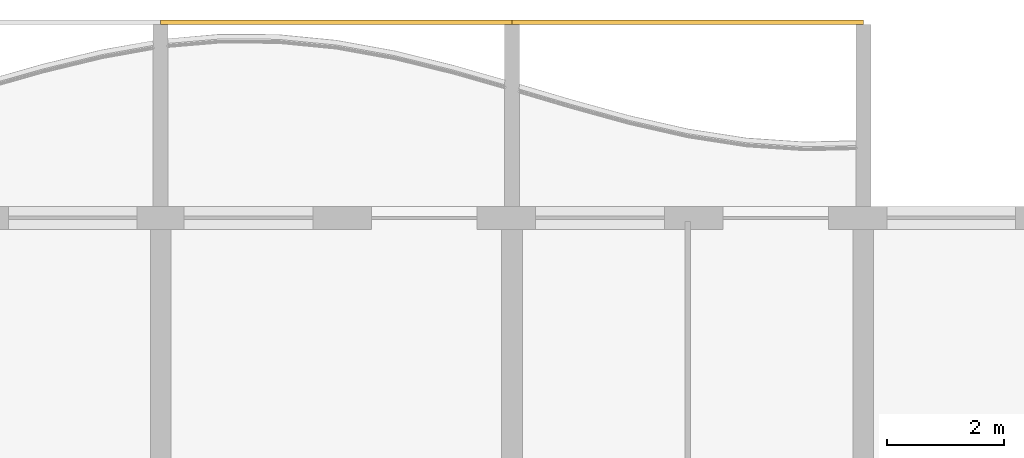
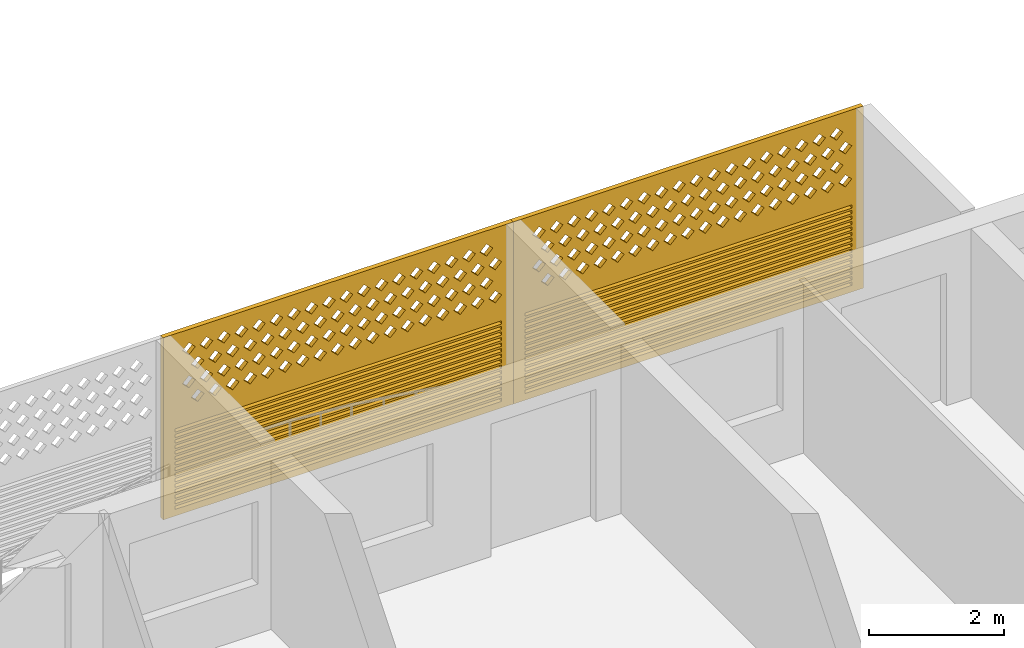
# One storey, part 21 of 26: 2 coverings.
"""IFC4 building model written with IfcOpenShell, lengths in metres."""

from ifc_helpers import new_model, si_unit, direction, frame, origin, place, context, subcontext, project, spatial, polyline, outline, extrude, source, transform, mapped, material, material_profile, profile_set, type_object, element, save


model = new_model("IFC4")

# Units and contexts
model_context = context("Model", 3, precision=1e-05, world=origin(), true_north=direction((0.0, 1.0)))
body_context = subcontext(model_context, "Body", "Model", "MODEL_VIEW")
ifc_project = project(units=[si_unit("LENGTHUNIT", "METRE"), si_unit("AREAUNIT", "SQUARE_METRE"), si_unit("VOLUMEUNIT", "CUBIC_METRE"), si_unit("PLANEANGLEUNIT", "RADIAN"), si_unit("MASSUNIT", "GRAM", prefix="KILO")], contexts=[model_context])

# Site, building, storey
site_placement = place(None, origin())
site = spatial("IfcSite", under=ifc_project, at=site_placement, CompositionType="ELEMENT")
building_placement = place(site_placement, origin())
building = spatial("IfcBuilding", under=site, at=building_placement, Name="Poui Terraces", CompositionType="ELEMENT")
storey_placement = place(building_placement, frame((0.0, 0.0, 79.5)))
storey = spatial("IfcBuildingStorey", under=building, at=storey_placement, Name="L21", CompositionType="ELEMENT", Elevation=79.5)

# Coverings
ifc_material = material(Name="Terracotta screen", Category="masonry")
ifc_material_profile = material_profile(ifc_material, outline(polyline([(-3.0, -1.64990234375), (3.0, -1.64990234375), (3.0, 1.64990234375), (-3.0, 1.64990234375), (-3.0, -1.64990234375)]), holes=[polyline([(-2.800048828125, 0.39990234375), (-2.68994140625, 0.2900390625), (-2.580078125, 0.39990234375), (-2.68994140625, 0.510009765625), (-2.800048828125, 0.39990234375)]), polyline([(-2.5, 0.39990234375), (-2.389892578125, 0.2900390625), (-2.280029296875, 0.39990234375), (-2.389892578125, 0.510009765625), (-2.5, 0.39990234375)]), polyline([(-2.199951171875, 0.39990234375), (-2.090087890625, 0.2900390625), (-1.97998046875, 0.39990234375), (-2.090087890625, 0.510009765625), (-2.199951171875, 0.39990234375)]), polyline([(-1.89990234375, 0.39990234375), (-1.7900390625, 0.2900390625), (-1.679931640625, 0.39990234375), (-1.7900390625, 0.510009765625), (-1.89990234375, 0.39990234375)]), polyline([(-1.60009765625, 0.39990234375), (-1.489990234375, 0.2900390625), (-1.3798828125, 0.39990234375), (-1.489990234375, 0.510009765625), (-1.60009765625, 0.39990234375)]), polyline([(-1.300048828125, 0.39990234375), (-1.18994140625, 0.2900390625), (-1.080078125, 0.39990234375), (-1.18994140625, 0.510009765625), (-1.300048828125, 0.39990234375)]), polyline([(-1.0, 0.39990234375), (-0.889892578125, 0.2900390625), (-0.780029296875, 0.39990234375), (-0.889892578125, 0.510009765625), (-1.0, 0.39990234375)]), polyline([(-0.699951171875, 0.39990234375), (-0.590087890625, 0.2900390625), (-0.47998046875, 0.39990234375), (-0.590087890625, 0.510009765625), (-0.699951171875, 0.39990234375)]), polyline([(-0.39990234375, 0.39990234375), (-0.2900390625, 0.2900390625), (-0.179931640625, 0.39990234375), (-0.2900390625, 0.510009765625), (-0.39990234375, 0.39990234375)]), polyline([(-0.10009765625, 0.39990234375), (0.010009765625, 0.2900390625), (0.1201171875, 0.39990234375), (0.010009765625, 0.510009765625), (-0.10009765625, 0.39990234375)]), polyline([(0.199951171875, 0.39990234375), (0.31005859375, 0.2900390625), (0.419921875, 0.39990234375), (0.31005859375, 0.510009765625), (0.199951171875, 0.39990234375)]), polyline([(0.5, 0.39990234375), (0.610107421875, 0.2900390625), (0.719970703125, 0.39990234375), (0.610107421875, 0.510009765625), (0.5, 0.39990234375)]), polyline([(0.800048828125, 0.39990234375), (0.909912109375, 0.2900390625), (1.02001953125, 0.39990234375), (0.909912109375, 0.510009765625), (0.800048828125, 0.39990234375)]), polyline([(1.10009765625, 0.39990234375), (1.2099609375, 0.2900390625), (1.320068359375, 0.39990234375), (1.2099609375, 0.510009765625), (1.10009765625, 0.39990234375)]), polyline([(1.39990234375, 0.39990234375), (1.510009765625, 0.2900390625), (1.6201171875, 0.39990234375), (1.510009765625, 0.510009765625), (1.39990234375, 0.39990234375)]), polyline([(1.699951171875, 0.39990234375), (1.81005859375, 0.2900390625), (1.919921875, 0.39990234375), (1.81005859375, 0.510009765625), (1.699951171875, 0.39990234375)]), polyline([(2.0, 0.39990234375), (2.110107421875, 0.2900390625), (2.219970703125, 0.39990234375), (2.110107421875, 0.510009765625), (2.0, 0.39990234375)]), polyline([(2.300048828125, 0.39990234375), (2.409912109375, 0.2900390625), (2.52001953125, 0.39990234375), (2.409912109375, 0.510009765625), (2.300048828125, 0.39990234375)]), polyline([(-2.64990234375, 0.699951171875), (-2.5400390625, 0.590087890625), (-2.429931640625, 0.699951171875), (-2.5400390625, 0.81005859375), (-2.64990234375, 0.699951171875)]), polyline([(-2.35009765625, 0.699951171875), (-2.239990234375, 0.590087890625), (-2.1298828125, 0.699951171875), (-2.239990234375, 0.81005859375), (-2.35009765625, 0.699951171875)]), polyline([(-2.050048828125, 0.699951171875), (-1.93994140625, 0.590087890625), (-1.830078125, 0.699951171875), (-1.93994140625, 0.81005859375), (-2.050048828125, 0.699951171875)]), polyline([(-1.75, 0.699951171875), (-1.639892578125, 0.590087890625), (-1.530029296875, 0.699951171875), (-1.639892578125, 0.81005859375), (-1.75, 0.699951171875)]), polyline([(-1.449951171875, 0.699951171875), (-1.340087890625, 0.590087890625), (-1.22998046875, 0.699951171875), (-1.340087890625, 0.81005859375), (-1.449951171875, 0.699951171875)]), polyline([(-1.14990234375, 0.699951171875), (-1.0400390625, 0.590087890625), (-0.929931640625, 0.699951171875), (-1.0400390625, 0.81005859375), (-1.14990234375, 0.699951171875)]), polyline([(-0.85009765625, 0.699951171875), (-0.739990234375, 0.590087890625), (-0.6298828125, 0.699951171875), (-0.739990234375, 0.81005859375), (-0.85009765625, 0.699951171875)]), polyline([(-0.550048828125, 0.699951171875), (-0.43994140625, 0.590087890625), (-0.330078125, 0.699951171875), (-0.43994140625, 0.81005859375), (-0.550048828125, 0.699951171875)]), polyline([(-0.25, 0.699951171875), (-0.139892578125, 0.590087890625), (-0.030029296875, 0.699951171875), (-0.139892578125, 0.81005859375), (-0.25, 0.699951171875)]), polyline([(0.050048828125, 0.699951171875), (0.159912109375, 0.590087890625), (0.27001953125, 0.699951171875), (0.159912109375, 0.81005859375), (0.050048828125, 0.699951171875)]), polyline([(0.35009765625, 0.699951171875), (0.4599609375, 0.590087890625), (0.570068359375, 0.699951171875), (0.4599609375, 0.81005859375), (0.35009765625, 0.699951171875)]), polyline([(0.64990234375, 0.699951171875), (0.760009765625, 0.590087890625), (0.8701171875, 0.699951171875), (0.760009765625, 0.81005859375), (0.64990234375, 0.699951171875)]), polyline([(0.949951171875, 0.699951171875), (1.06005859375, 0.590087890625), (1.169921875, 0.699951171875), (1.06005859375, 0.81005859375), (0.949951171875, 0.699951171875)]), polyline([(1.25, 0.699951171875), (1.360107421875, 0.590087890625), (1.469970703125, 0.699951171875), (1.360107421875, 0.81005859375), (1.25, 0.699951171875)]), polyline([(1.550048828125, 0.699951171875), (1.659912109375, 0.590087890625), (1.77001953125, 0.699951171875), (1.659912109375, 0.81005859375), (1.550048828125, 0.699951171875)]), polyline([(1.85009765625, 0.699951171875), (1.9599609375, 0.590087890625), (2.070068359375, 0.699951171875), (1.9599609375, 0.81005859375), (1.85009765625, 0.699951171875)]), polyline([(2.14990234375, 0.699951171875), (2.260009765625, 0.590087890625), (2.3701171875, 0.699951171875), (2.260009765625, 0.81005859375), (2.14990234375, 0.699951171875)]), polyline([(2.449951171875, 0.699951171875), (2.56005859375, 0.590087890625), (2.669921875, 0.699951171875), (2.56005859375, 0.81005859375), (2.449951171875, 0.699951171875)]), polyline([(-2.800048828125, 1.0), (-2.68994140625, 0.889892578125), (-2.580078125, 1.0), (-2.68994140625, 1.110107421875), (-2.800048828125, 1.0)]), polyline([(-2.5, 1.0), (-2.389892578125, 0.889892578125), (-2.280029296875, 1.0), (-2.389892578125, 1.110107421875), (-2.5, 1.0)]), polyline([(-2.199951171875, 1.0), (-2.090087890625, 0.889892578125), (-1.97998046875, 1.0), (-2.090087890625, 1.110107421875), (-2.199951171875, 1.0)]), polyline([(-1.89990234375, 1.0), (-1.7900390625, 0.889892578125), (-1.679931640625, 1.0), (-1.7900390625, 1.110107421875), (-1.89990234375, 1.0)]), polyline([(-1.60009765625, 1.0), (-1.489990234375, 0.889892578125), (-1.3798828125, 1.0), (-1.489990234375, 1.110107421875), (-1.60009765625, 1.0)]), polyline([(-1.300048828125, 1.0), (-1.18994140625, 0.889892578125), (-1.080078125, 1.0), (-1.18994140625, 1.110107421875), (-1.300048828125, 1.0)]), polyline([(-1.0, 1.0), (-0.889892578125, 0.889892578125), (-0.780029296875, 1.0), (-0.889892578125, 1.110107421875), (-1.0, 1.0)]), polyline([(-0.699951171875, 1.0), (-0.590087890625, 0.889892578125), (-0.47998046875, 1.0), (-0.590087890625, 1.110107421875), (-0.699951171875, 1.0)]), polyline([(-0.39990234375, 1.0), (-0.2900390625, 0.889892578125), (-0.179931640625, 1.0), (-0.2900390625, 1.110107421875), (-0.39990234375, 1.0)]), polyline([(-0.10009765625, 1.0), (0.010009765625, 0.889892578125), (0.1201171875, 1.0), (0.010009765625, 1.110107421875), (-0.10009765625, 1.0)]), polyline([(0.199951171875, 1.0), (0.31005859375, 0.889892578125), (0.419921875, 1.0), (0.31005859375, 1.110107421875), (0.199951171875, 1.0)]), polyline([(0.5, 1.0), (0.610107421875, 0.889892578125), (0.719970703125, 1.0), (0.610107421875, 1.110107421875), (0.5, 1.0)]), polyline([(0.800048828125, 1.0), (0.909912109375, 0.889892578125), (1.02001953125, 1.0), (0.909912109375, 1.110107421875), (0.800048828125, 1.0)]), polyline([(1.10009765625, 1.0), (1.2099609375, 0.889892578125), (1.320068359375, 1.0), (1.2099609375, 1.110107421875), (1.10009765625, 1.0)]), polyline([(1.39990234375, 1.0), (1.510009765625, 0.889892578125), (1.6201171875, 1.0), (1.510009765625, 1.110107421875), (1.39990234375, 1.0)]), polyline([(1.699951171875, 1.0), (1.81005859375, 0.889892578125), (1.919921875, 1.0), (1.81005859375, 1.110107421875), (1.699951171875, 1.0)]), polyline([(2.0, 1.0), (2.110107421875, 0.889892578125), (2.219970703125, 1.0), (2.110107421875, 1.110107421875), (2.0, 1.0)]), polyline([(2.300048828125, 1.0), (2.409912109375, 0.889892578125), (2.52001953125, 1.0), (2.409912109375, 1.110107421875), (2.300048828125, 1.0)]), polyline([(-2.64990234375, 1.300048828125), (-2.5400390625, 1.18994140625), (-2.429931640625, 1.300048828125), (-2.5400390625, 1.409912109375), (-2.64990234375, 1.300048828125)]), polyline([(-2.35009765625, 1.300048828125), (-2.239990234375, 1.18994140625), (-2.1298828125, 1.300048828125), (-2.239990234375, 1.409912109375), (-2.35009765625, 1.300048828125)]), polyline([(-2.050048828125, 1.300048828125), (-1.93994140625, 1.18994140625), (-1.830078125, 1.300048828125), (-1.93994140625, 1.409912109375), (-2.050048828125, 1.300048828125)]), polyline([(-1.75, 1.300048828125), (-1.639892578125, 1.18994140625), (-1.530029296875, 1.300048828125), (-1.639892578125, 1.409912109375), (-1.75, 1.300048828125)]), polyline([(-1.449951171875, 1.300048828125), (-1.340087890625, 1.18994140625), (-1.22998046875, 1.300048828125), (-1.340087890625, 1.409912109375), (-1.449951171875, 1.300048828125)]), polyline([(-1.14990234375, 1.300048828125), (-1.0400390625, 1.18994140625), (-0.929931640625, 1.300048828125), (-1.0400390625, 1.409912109375), (-1.14990234375, 1.300048828125)]), polyline([(-0.85009765625, 1.300048828125), (-0.739990234375, 1.18994140625), (-0.6298828125, 1.300048828125), (-0.739990234375, 1.409912109375), (-0.85009765625, 1.300048828125)]), polyline([(-0.550048828125, 1.300048828125), (-0.43994140625, 1.18994140625), (-0.330078125, 1.300048828125), (-0.43994140625, 1.409912109375), (-0.550048828125, 1.300048828125)]), polyline([(-0.25, 1.300048828125), (-0.139892578125, 1.18994140625), (-0.030029296875, 1.300048828125), (-0.139892578125, 1.409912109375), (-0.25, 1.300048828125)]), polyline([(0.050048828125, 1.300048828125), (0.159912109375, 1.18994140625), (0.27001953125, 1.300048828125), (0.159912109375, 1.409912109375), (0.050048828125, 1.300048828125)]), polyline([(0.35009765625, 1.300048828125), (0.4599609375, 1.18994140625), (0.570068359375, 1.300048828125), (0.4599609375, 1.409912109375), (0.35009765625, 1.300048828125)]), polyline([(0.64990234375, 1.300048828125), (0.760009765625, 1.18994140625), (0.8701171875, 1.300048828125), (0.760009765625, 1.409912109375), (0.64990234375, 1.300048828125)]), polyline([(0.949951171875, 1.300048828125), (1.06005859375, 1.18994140625), (1.169921875, 1.300048828125), (1.06005859375, 1.409912109375), (0.949951171875, 1.300048828125)]), polyline([(1.25, 1.300048828125), (1.360107421875, 1.18994140625), (1.469970703125, 1.300048828125), (1.360107421875, 1.409912109375), (1.25, 1.300048828125)]), polyline([(1.550048828125, 1.300048828125), (1.659912109375, 1.18994140625), (1.77001953125, 1.300048828125), (1.659912109375, 1.409912109375), (1.550048828125, 1.300048828125)]), polyline([(1.85009765625, 1.300048828125), (1.9599609375, 1.18994140625), (2.070068359375, 1.300048828125), (1.9599609375, 1.409912109375), (1.85009765625, 1.300048828125)]), polyline([(2.14990234375, 1.300048828125), (2.260009765625, 1.18994140625), (2.3701171875, 1.300048828125), (2.260009765625, 1.409912109375), (2.14990234375, 1.300048828125)]), polyline([(2.449951171875, 1.300048828125), (2.56005859375, 1.18994140625), (2.669921875, 1.300048828125), (2.56005859375, 1.409912109375), (2.449951171875, 1.300048828125)]), polyline([(-2.800048828125, -1.530029296875), (2.800048828125, -1.530029296875), (2.800048828125, -1.469970703125), (-2.800048828125, -1.469970703125), (-2.800048828125, -1.530029296875)]), polyline([(-2.800048828125, -1.429931640625), (2.800048828125, -1.429931640625), (2.800048828125, -1.3701171875), (-2.800048828125, -1.3701171875), (-2.800048828125, -1.429931640625)]), polyline([(-2.800048828125, -1.330078125), (2.800048828125, -1.330078125), (2.800048828125, -1.27001953125), (-2.800048828125, -1.27001953125), (-2.800048828125, -1.330078125)]), polyline([(-2.800048828125, -1.22998046875), (2.800048828125, -1.22998046875), (2.800048828125, -1.169921875), (-2.800048828125, -1.169921875), (-2.800048828125, -1.22998046875)]), polyline([(-2.800048828125, -1.1298828125), (2.800048828125, -1.1298828125), (2.800048828125, -1.070068359375), (-2.800048828125, -1.070068359375), (-2.800048828125, -1.1298828125)]), polyline([(-2.800048828125, -1.030029296875), (2.800048828125, -1.030029296875), (2.800048828125, -0.969970703125), (-2.800048828125, -0.969970703125), (-2.800048828125, -1.030029296875)]), polyline([(-2.800048828125, -0.929931640625), (2.800048828125, -0.929931640625), (2.800048828125, -0.8701171875), (-2.800048828125, -0.8701171875), (-2.800048828125, -0.929931640625)]), polyline([(-2.800048828125, -0.830078125), (2.800048828125, -0.830078125), (2.800048828125, -0.77001953125), (-2.800048828125, -0.77001953125), (-2.800048828125, -0.830078125)]), polyline([(-2.800048828125, -0.72998046875), (2.800048828125, -0.72998046875), (2.800048828125, -0.669921875), (-2.800048828125, -0.669921875), (-2.800048828125, -0.72998046875)]), polyline([(-2.800048828125, -0.6298828125), (2.800048828125, -0.6298828125), (2.800048828125, -0.570068359375), (-2.800048828125, -0.570068359375), (-2.800048828125, -0.6298828125)]), polyline([(-2.800048828125, -0.530029296875), (2.800048828125, -0.530029296875), (2.800048828125, -0.469970703125), (-2.800048828125, -0.469970703125), (-2.800048828125, -0.530029296875)]), polyline([(-2.800048828125, -0.429931640625), (2.800048828125, -0.429931640625), (2.800048828125, -0.3701171875), (-2.800048828125, -0.3701171875), (-2.800048828125, -0.429931640625)]), polyline([(-2.800048828125, -0.330078125), (2.800048828125, -0.330078125), (2.800048828125, -0.27001953125), (-2.800048828125, -0.27001953125), (-2.800048828125, -0.330078125)]), polyline([(-2.800048828125, -0.22998046875), (2.800048828125, -0.22998046875), (2.800048828125, -0.169921875), (-2.800048828125, -0.169921875), (-2.800048828125, -0.22998046875)]), polyline([(-2.800048828125, -0.1298828125), (2.800048828125, -0.1298828125), (2.800048828125, -0.070068359375), (-2.800048828125, -0.070068359375), (-2.800048828125, -0.1298828125)])]), Name="TERRACOTTA SCREEN AND JALOUSIE LOUVRE 6000X3300")
ifc_profile_set = profile_set([ifc_material_profile], Name="Terracotta screen")
covering_type = type_object("IfcCoveringType", Name="TERRACOTTA SCREEN AND JALOUSIE LOUVRE 6000X3300", PredefinedType="CLADDING", material=ifc_profile_set)
shared_shape = source(origin(), body_context, "Body", "SweptSolid", [
    extrude(outline(polyline([(-3.0, -1.64990234375), (3.0, -1.64990234375), (3.0, 1.64990234375), (-3.0, 1.64990234375), (-3.0, -1.64990234375)]), holes=[polyline([(-2.800048828125, 0.39990234375), (-2.68994140625, 0.2900390625), (-2.580078125, 0.39990234375), (-2.68994140625, 0.510009765625), (-2.800048828125, 0.39990234375)]), polyline([(-2.5, 0.39990234375), (-2.389892578125, 0.2900390625), (-2.280029296875, 0.39990234375), (-2.389892578125, 0.510009765625), (-2.5, 0.39990234375)]), polyline([(-2.199951171875, 0.39990234375), (-2.090087890625, 0.2900390625), (-1.97998046875, 0.39990234375), (-2.090087890625, 0.510009765625), (-2.199951171875, 0.39990234375)]), polyline([(-1.89990234375, 0.39990234375), (-1.7900390625, 0.2900390625), (-1.679931640625, 0.39990234375), (-1.7900390625, 0.510009765625), (-1.89990234375, 0.39990234375)]), polyline([(-1.60009765625, 0.39990234375), (-1.489990234375, 0.2900390625), (-1.3798828125, 0.39990234375), (-1.489990234375, 0.510009765625), (-1.60009765625, 0.39990234375)]), polyline([(-1.300048828125, 0.39990234375), (-1.18994140625, 0.2900390625), (-1.080078125, 0.39990234375), (-1.18994140625, 0.510009765625), (-1.300048828125, 0.39990234375)]), polyline([(-1.0, 0.39990234375), (-0.889892578125, 0.2900390625), (-0.780029296875, 0.39990234375), (-0.889892578125, 0.510009765625), (-1.0, 0.39990234375)]), polyline([(-0.699951171875, 0.39990234375), (-0.590087890625, 0.2900390625), (-0.47998046875, 0.39990234375), (-0.590087890625, 0.510009765625), (-0.699951171875, 0.39990234375)]), polyline([(-0.39990234375, 0.39990234375), (-0.2900390625, 0.2900390625), (-0.179931640625, 0.39990234375), (-0.2900390625, 0.510009765625), (-0.39990234375, 0.39990234375)]), polyline([(-0.10009765625, 0.39990234375), (0.010009765625, 0.2900390625), (0.1201171875, 0.39990234375), (0.010009765625, 0.510009765625), (-0.10009765625, 0.39990234375)]), polyline([(0.199951171875, 0.39990234375), (0.31005859375, 0.2900390625), (0.419921875, 0.39990234375), (0.31005859375, 0.510009765625), (0.199951171875, 0.39990234375)]), polyline([(0.5, 0.39990234375), (0.610107421875, 0.2900390625), (0.719970703125, 0.39990234375), (0.610107421875, 0.510009765625), (0.5, 0.39990234375)]), polyline([(0.800048828125, 0.39990234375), (0.909912109375, 0.2900390625), (1.02001953125, 0.39990234375), (0.909912109375, 0.510009765625), (0.800048828125, 0.39990234375)]), polyline([(1.10009765625, 0.39990234375), (1.2099609375, 0.2900390625), (1.320068359375, 0.39990234375), (1.2099609375, 0.510009765625), (1.10009765625, 0.39990234375)]), polyline([(1.39990234375, 0.39990234375), (1.510009765625, 0.2900390625), (1.6201171875, 0.39990234375), (1.510009765625, 0.510009765625), (1.39990234375, 0.39990234375)]), polyline([(1.699951171875, 0.39990234375), (1.81005859375, 0.2900390625), (1.919921875, 0.39990234375), (1.81005859375, 0.510009765625), (1.699951171875, 0.39990234375)]), polyline([(2.0, 0.39990234375), (2.110107421875, 0.2900390625), (2.219970703125, 0.39990234375), (2.110107421875, 0.510009765625), (2.0, 0.39990234375)]), polyline([(2.300048828125, 0.39990234375), (2.409912109375, 0.2900390625), (2.52001953125, 0.39990234375), (2.409912109375, 0.510009765625), (2.300048828125, 0.39990234375)]), polyline([(-2.64990234375, 0.699951171875), (-2.5400390625, 0.590087890625), (-2.429931640625, 0.699951171875), (-2.5400390625, 0.81005859375), (-2.64990234375, 0.699951171875)]), polyline([(-2.35009765625, 0.699951171875), (-2.239990234375, 0.590087890625), (-2.1298828125, 0.699951171875), (-2.239990234375, 0.81005859375), (-2.35009765625, 0.699951171875)]), polyline([(-2.050048828125, 0.699951171875), (-1.93994140625, 0.590087890625), (-1.830078125, 0.699951171875), (-1.93994140625, 0.81005859375), (-2.050048828125, 0.699951171875)]), polyline([(-1.75, 0.699951171875), (-1.639892578125, 0.590087890625), (-1.530029296875, 0.699951171875), (-1.639892578125, 0.81005859375), (-1.75, 0.699951171875)]), polyline([(-1.449951171875, 0.699951171875), (-1.340087890625, 0.590087890625), (-1.22998046875, 0.699951171875), (-1.340087890625, 0.81005859375), (-1.449951171875, 0.699951171875)]), polyline([(-1.14990234375, 0.699951171875), (-1.0400390625, 0.590087890625), (-0.929931640625, 0.699951171875), (-1.0400390625, 0.81005859375), (-1.14990234375, 0.699951171875)]), polyline([(-0.85009765625, 0.699951171875), (-0.739990234375, 0.590087890625), (-0.6298828125, 0.699951171875), (-0.739990234375, 0.81005859375), (-0.85009765625, 0.699951171875)]), polyline([(-0.550048828125, 0.699951171875), (-0.43994140625, 0.590087890625), (-0.330078125, 0.699951171875), (-0.43994140625, 0.81005859375), (-0.550048828125, 0.699951171875)]), polyline([(-0.25, 0.699951171875), (-0.139892578125, 0.590087890625), (-0.030029296875, 0.699951171875), (-0.139892578125, 0.81005859375), (-0.25, 0.699951171875)]), polyline([(0.050048828125, 0.699951171875), (0.159912109375, 0.590087890625), (0.27001953125, 0.699951171875), (0.159912109375, 0.81005859375), (0.050048828125, 0.699951171875)]), polyline([(0.35009765625, 0.699951171875), (0.4599609375, 0.590087890625), (0.570068359375, 0.699951171875), (0.4599609375, 0.81005859375), (0.35009765625, 0.699951171875)]), polyline([(0.64990234375, 0.699951171875), (0.760009765625, 0.590087890625), (0.8701171875, 0.699951171875), (0.760009765625, 0.81005859375), (0.64990234375, 0.699951171875)]), polyline([(0.949951171875, 0.699951171875), (1.06005859375, 0.590087890625), (1.169921875, 0.699951171875), (1.06005859375, 0.81005859375), (0.949951171875, 0.699951171875)]), polyline([(1.25, 0.699951171875), (1.360107421875, 0.590087890625), (1.469970703125, 0.699951171875), (1.360107421875, 0.81005859375), (1.25, 0.699951171875)]), polyline([(1.550048828125, 0.699951171875), (1.659912109375, 0.590087890625), (1.77001953125, 0.699951171875), (1.659912109375, 0.81005859375), (1.550048828125, 0.699951171875)]), polyline([(1.85009765625, 0.699951171875), (1.9599609375, 0.590087890625), (2.070068359375, 0.699951171875), (1.9599609375, 0.81005859375), (1.85009765625, 0.699951171875)]), polyline([(2.14990234375, 0.699951171875), (2.260009765625, 0.590087890625), (2.3701171875, 0.699951171875), (2.260009765625, 0.81005859375), (2.14990234375, 0.699951171875)]), polyline([(2.449951171875, 0.699951171875), (2.56005859375, 0.590087890625), (2.669921875, 0.699951171875), (2.56005859375, 0.81005859375), (2.449951171875, 0.699951171875)]), polyline([(-2.800048828125, 1.0), (-2.68994140625, 0.889892578125), (-2.580078125, 1.0), (-2.68994140625, 1.110107421875), (-2.800048828125, 1.0)]), polyline([(-2.5, 1.0), (-2.389892578125, 0.889892578125), (-2.280029296875, 1.0), (-2.389892578125, 1.110107421875), (-2.5, 1.0)]), polyline([(-2.199951171875, 1.0), (-2.090087890625, 0.889892578125), (-1.97998046875, 1.0), (-2.090087890625, 1.110107421875), (-2.199951171875, 1.0)]), polyline([(-1.89990234375, 1.0), (-1.7900390625, 0.889892578125), (-1.679931640625, 1.0), (-1.7900390625, 1.110107421875), (-1.89990234375, 1.0)]), polyline([(-1.60009765625, 1.0), (-1.489990234375, 0.889892578125), (-1.3798828125, 1.0), (-1.489990234375, 1.110107421875), (-1.60009765625, 1.0)]), polyline([(-1.300048828125, 1.0), (-1.18994140625, 0.889892578125), (-1.080078125, 1.0), (-1.18994140625, 1.110107421875), (-1.300048828125, 1.0)]), polyline([(-1.0, 1.0), (-0.889892578125, 0.889892578125), (-0.780029296875, 1.0), (-0.889892578125, 1.110107421875), (-1.0, 1.0)]), polyline([(-0.699951171875, 1.0), (-0.590087890625, 0.889892578125), (-0.47998046875, 1.0), (-0.590087890625, 1.110107421875), (-0.699951171875, 1.0)]), polyline([(-0.39990234375, 1.0), (-0.2900390625, 0.889892578125), (-0.179931640625, 1.0), (-0.2900390625, 1.110107421875), (-0.39990234375, 1.0)]), polyline([(-0.10009765625, 1.0), (0.010009765625, 0.889892578125), (0.1201171875, 1.0), (0.010009765625, 1.110107421875), (-0.10009765625, 1.0)]), polyline([(0.199951171875, 1.0), (0.31005859375, 0.889892578125), (0.419921875, 1.0), (0.31005859375, 1.110107421875), (0.199951171875, 1.0)]), polyline([(0.5, 1.0), (0.610107421875, 0.889892578125), (0.719970703125, 1.0), (0.610107421875, 1.110107421875), (0.5, 1.0)]), polyline([(0.800048828125, 1.0), (0.909912109375, 0.889892578125), (1.02001953125, 1.0), (0.909912109375, 1.110107421875), (0.800048828125, 1.0)]), polyline([(1.10009765625, 1.0), (1.2099609375, 0.889892578125), (1.320068359375, 1.0), (1.2099609375, 1.110107421875), (1.10009765625, 1.0)]), polyline([(1.39990234375, 1.0), (1.510009765625, 0.889892578125), (1.6201171875, 1.0), (1.510009765625, 1.110107421875), (1.39990234375, 1.0)]), polyline([(1.699951171875, 1.0), (1.81005859375, 0.889892578125), (1.919921875, 1.0), (1.81005859375, 1.110107421875), (1.699951171875, 1.0)]), polyline([(2.0, 1.0), (2.110107421875, 0.889892578125), (2.219970703125, 1.0), (2.110107421875, 1.110107421875), (2.0, 1.0)]), polyline([(2.300048828125, 1.0), (2.409912109375, 0.889892578125), (2.52001953125, 1.0), (2.409912109375, 1.110107421875), (2.300048828125, 1.0)]), polyline([(-2.64990234375, 1.300048828125), (-2.5400390625, 1.18994140625), (-2.429931640625, 1.300048828125), (-2.5400390625, 1.409912109375), (-2.64990234375, 1.300048828125)]), polyline([(-2.35009765625, 1.300048828125), (-2.239990234375, 1.18994140625), (-2.1298828125, 1.300048828125), (-2.239990234375, 1.409912109375), (-2.35009765625, 1.300048828125)]), polyline([(-2.050048828125, 1.300048828125), (-1.93994140625, 1.18994140625), (-1.830078125, 1.300048828125), (-1.93994140625, 1.409912109375), (-2.050048828125, 1.300048828125)]), polyline([(-1.75, 1.300048828125), (-1.639892578125, 1.18994140625), (-1.530029296875, 1.300048828125), (-1.639892578125, 1.409912109375), (-1.75, 1.300048828125)]), polyline([(-1.449951171875, 1.300048828125), (-1.340087890625, 1.18994140625), (-1.22998046875, 1.300048828125), (-1.340087890625, 1.409912109375), (-1.449951171875, 1.300048828125)]), polyline([(-1.14990234375, 1.300048828125), (-1.0400390625, 1.18994140625), (-0.929931640625, 1.300048828125), (-1.0400390625, 1.409912109375), (-1.14990234375, 1.300048828125)]), polyline([(-0.85009765625, 1.300048828125), (-0.739990234375, 1.18994140625), (-0.6298828125, 1.300048828125), (-0.739990234375, 1.409912109375), (-0.85009765625, 1.300048828125)]), polyline([(-0.550048828125, 1.300048828125), (-0.43994140625, 1.18994140625), (-0.330078125, 1.300048828125), (-0.43994140625, 1.409912109375), (-0.550048828125, 1.300048828125)]), polyline([(-0.25, 1.300048828125), (-0.139892578125, 1.18994140625), (-0.030029296875, 1.300048828125), (-0.139892578125, 1.409912109375), (-0.25, 1.300048828125)]), polyline([(0.050048828125, 1.300048828125), (0.159912109375, 1.18994140625), (0.27001953125, 1.300048828125), (0.159912109375, 1.409912109375), (0.050048828125, 1.300048828125)]), polyline([(0.35009765625, 1.300048828125), (0.4599609375, 1.18994140625), (0.570068359375, 1.300048828125), (0.4599609375, 1.409912109375), (0.35009765625, 1.300048828125)]), polyline([(0.64990234375, 1.300048828125), (0.760009765625, 1.18994140625), (0.8701171875, 1.300048828125), (0.760009765625, 1.409912109375), (0.64990234375, 1.300048828125)]), polyline([(0.949951171875, 1.300048828125), (1.06005859375, 1.18994140625), (1.169921875, 1.300048828125), (1.06005859375, 1.409912109375), (0.949951171875, 1.300048828125)]), polyline([(1.25, 1.300048828125), (1.360107421875, 1.18994140625), (1.469970703125, 1.300048828125), (1.360107421875, 1.409912109375), (1.25, 1.300048828125)]), polyline([(1.550048828125, 1.300048828125), (1.659912109375, 1.18994140625), (1.77001953125, 1.300048828125), (1.659912109375, 1.409912109375), (1.550048828125, 1.300048828125)]), polyline([(1.85009765625, 1.300048828125), (1.9599609375, 1.18994140625), (2.070068359375, 1.300048828125), (1.9599609375, 1.409912109375), (1.85009765625, 1.300048828125)]), polyline([(2.14990234375, 1.300048828125), (2.260009765625, 1.18994140625), (2.3701171875, 1.300048828125), (2.260009765625, 1.409912109375), (2.14990234375, 1.300048828125)]), polyline([(2.449951171875, 1.300048828125), (2.56005859375, 1.18994140625), (2.669921875, 1.300048828125), (2.56005859375, 1.409912109375), (2.449951171875, 1.300048828125)]), polyline([(-2.800048828125, -1.530029296875), (2.800048828125, -1.530029296875), (2.800048828125, -1.469970703125), (-2.800048828125, -1.469970703125), (-2.800048828125, -1.530029296875)]), polyline([(-2.800048828125, -1.429931640625), (2.800048828125, -1.429931640625), (2.800048828125, -1.3701171875), (-2.800048828125, -1.3701171875), (-2.800048828125, -1.429931640625)]), polyline([(-2.800048828125, -1.330078125), (2.800048828125, -1.330078125), (2.800048828125, -1.27001953125), (-2.800048828125, -1.27001953125), (-2.800048828125, -1.330078125)]), polyline([(-2.800048828125, -1.22998046875), (2.800048828125, -1.22998046875), (2.800048828125, -1.169921875), (-2.800048828125, -1.169921875), (-2.800048828125, -1.22998046875)]), polyline([(-2.800048828125, -1.1298828125), (2.800048828125, -1.1298828125), (2.800048828125, -1.070068359375), (-2.800048828125, -1.070068359375), (-2.800048828125, -1.1298828125)]), polyline([(-2.800048828125, -1.030029296875), (2.800048828125, -1.030029296875), (2.800048828125, -0.969970703125), (-2.800048828125, -0.969970703125), (-2.800048828125, -1.030029296875)]), polyline([(-2.800048828125, -0.929931640625), (2.800048828125, -0.929931640625), (2.800048828125, -0.8701171875), (-2.800048828125, -0.8701171875), (-2.800048828125, -0.929931640625)]), polyline([(-2.800048828125, -0.830078125), (2.800048828125, -0.830078125), (2.800048828125, -0.77001953125), (-2.800048828125, -0.77001953125), (-2.800048828125, -0.830078125)]), polyline([(-2.800048828125, -0.72998046875), (2.800048828125, -0.72998046875), (2.800048828125, -0.669921875), (-2.800048828125, -0.669921875), (-2.800048828125, -0.72998046875)]), polyline([(-2.800048828125, -0.6298828125), (2.800048828125, -0.6298828125), (2.800048828125, -0.570068359375), (-2.800048828125, -0.570068359375), (-2.800048828125, -0.6298828125)]), polyline([(-2.800048828125, -0.530029296875), (2.800048828125, -0.530029296875), (2.800048828125, -0.469970703125), (-2.800048828125, -0.469970703125), (-2.800048828125, -0.530029296875)]), polyline([(-2.800048828125, -0.429931640625), (2.800048828125, -0.429931640625), (2.800048828125, -0.3701171875), (-2.800048828125, -0.3701171875), (-2.800048828125, -0.429931640625)]), polyline([(-2.800048828125, -0.330078125), (2.800048828125, -0.330078125), (2.800048828125, -0.27001953125), (-2.800048828125, -0.27001953125), (-2.800048828125, -0.330078125)]), polyline([(-2.800048828125, -0.22998046875), (2.800048828125, -0.22998046875), (2.800048828125, -0.169921875), (-2.800048828125, -0.169921875), (-2.800048828125, -0.22998046875)]), polyline([(-2.800048828125, -0.1298828125), (2.800048828125, -0.1298828125), (2.800048828125, -0.070068359375), (-2.800048828125, -0.070068359375), (-2.800048828125, -0.1298828125)])]), origin(), (0.0, 0.0, 1.0), 0.080078125),
])
for number, where, z_axis, x_axis, name in (
    (1, (27.0, 46.89990234375, 1.449951171875), (0.0, 1.0, 0.0), (-1.0, 0.0, 0.0), "SOLAR SCREEN AND JALOUSIE LOUVRE"),
    (2, (33.0, 46.89990234375, 1.449951171875), (0.0, 1.0, 0.0), (-1.0, 0.0, 0.0), "SOLAR SCREEN AND JALOUSIE LOUVRE"),
):
    element("IfcCovering", number, at=place(storey_placement, frame(where, z_axis=z_axis, x_axis=x_axis)), inside=storey, type_object=covering_type, Name=name, PredefinedType="CLADDING", context=body_context, shape_type="MappedRepresentation", body=[
        mapped(shared_shape, transform((0.0, 0.0, 0.0))),
    ])

save(model, "model.ifc")
